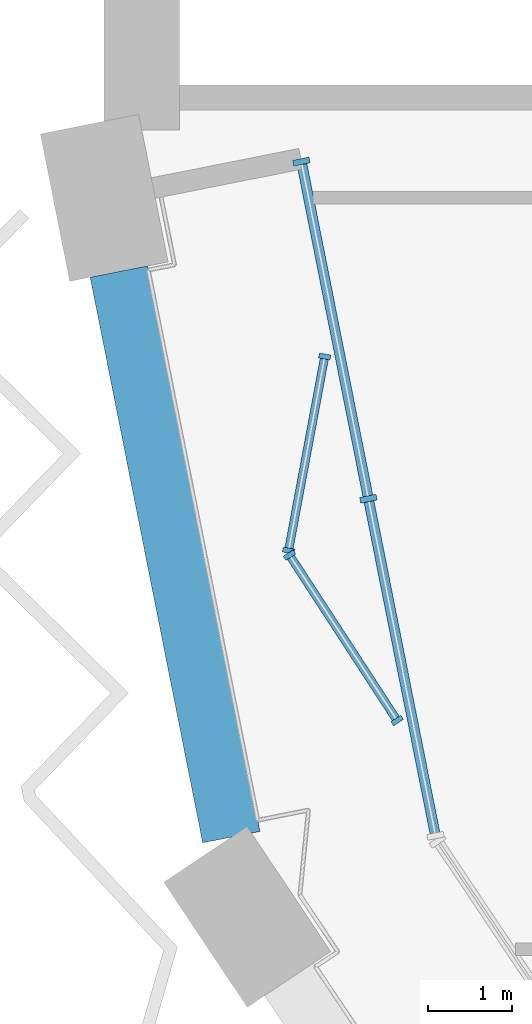
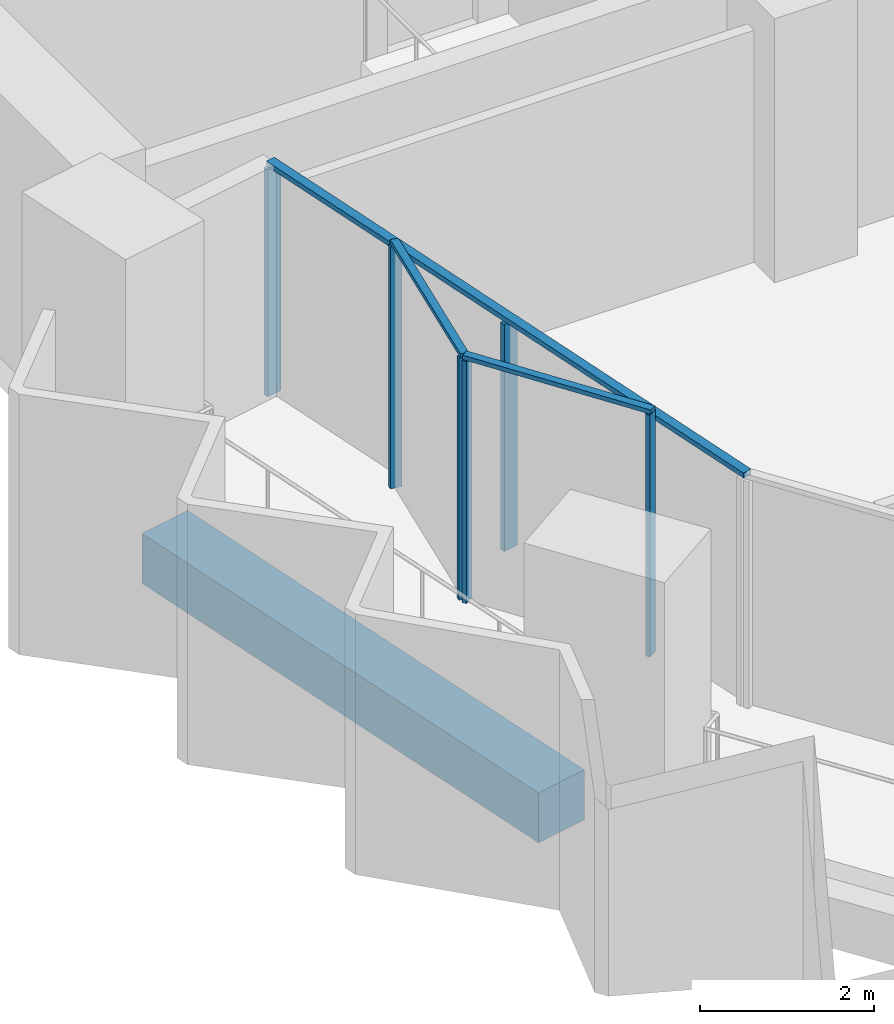
# One storey, part 3 of 18: 9 members, 1 beam, 3 elements without a shape of their own.
"""IFC4 building model written with IfcOpenShell, lengths in metres."""

from ifc_helpers import new_model, si_unit, direction, frame, origin, origin_2d, place, context, subcontext, project, spatial, rectangle, extrude, material, material_profile, profile_set, type_object, element, aggregate, save


model = new_model("IFC4")

# Units and contexts
model_context = context("Model", 3, precision=1e-05, world=origin(), true_north=direction((0.0, 1.0)))
body_context = subcontext(model_context, "Body", "Model", "MODEL_VIEW")
ifc_project = project(units=[si_unit("LENGTHUNIT", "METRE"), si_unit("AREAUNIT", "SQUARE_METRE"), si_unit("VOLUMEUNIT", "CUBIC_METRE"), si_unit("PLANEANGLEUNIT", "RADIAN"), si_unit("MASSUNIT", "GRAM", prefix="KILO")], contexts=[model_context])

# Site, building, storey
site_placement = place(None, origin())
site = spatial("IfcSite", under=ifc_project, at=site_placement, CompositionType="ELEMENT")
building_placement = place(site_placement, origin())
building = spatial("IfcBuilding", under=site, at=building_placement, Name="Hunhe Ridgeline Campus", CompositionType="ELEMENT")
storey_placement = place(building_placement, frame((0.0, 0.0, 223.5)))
storey = spatial("IfcBuildingStorey", under=building, at=storey_placement, Name="L57", CompositionType="ELEMENT", Elevation=223.5)

# Curtain wall, members
ifc_material_1 = material(Name="Aluminium 6063", Category="aluminium")
curtain_wall_type_1 = type_object("IfcCurtainWallType", Name="Curtain wall CW-2", PredefinedType="NOTDEFINED", material=ifc_material_1)
curtain_wall_1_placement = place(storey_placement, origin())
curtain_wall_1 = element("IfcCurtainWall", 1, at=curtain_wall_1_placement, inside=storey, type_object=curtain_wall_type_1, Name="Curtain wall B01a", PredefinedType="NOTDEFINED")
ifc_material_profile_1 = material_profile(ifc_material_1, rectangle(XDim=0.139892578125, YDim=0.06005859375, at=origin_2d()))
ifc_profile_set_1 = profile_set([ifc_material_profile_1], Name="Aluminium 6063")
member_type_1 = type_object("IfcMemberType", Name="CW-2 aluminium mullion", PredefinedType="MULLION", material=ifc_profile_set_1)
member_1_placement = place(storey_placement, frame((2.64111328125, 34.100341796875, 0.0), z_axis=(0.0, 0.0, 1.0), x_axis=(0.983091954213, -0.183112559813, 0.0)))
member_1 = element("IfcMember", 2, at=member_1_placement, type_object=member_type_1, Name="CW-2 mullion 1", PredefinedType="MULLION", context=body_context, shape_type="SweptSolid", body=[
    extrude(rectangle(XDim=0.139892578125, YDim=0.06005859375, at=origin_2d()), origin(), (0.0, 0.0, 1.0), 3.389892578125),
])
member_2_placement = place(storey_placement, frame((2.20849609375, 31.77685546875, 0.0), z_axis=(0.0, 0.0, 1.0), x_axis=(0.983091954213, -0.183112559813, 0.0)))
member_2 = element("IfcMember", 3, at=member_2_placement, type_object=member_type_1, Name="CW-2 mullion 2", PredefinedType="MULLION", context=body_context, shape_type="SweptSolid", body=[
    extrude(rectangle(XDim=0.139892578125, YDim=0.06005859375, at=origin_2d()), origin(), (0.0, 0.0, 1.0), 3.389892578125),
])

curtain_wall_2_placement = place(storey_placement, origin())
curtain_wall_2 = element("IfcCurtainWall", 4, at=curtain_wall_2_placement, inside=storey, type_object=curtain_wall_type_1, Name="Curtain wall B01b", PredefinedType="NOTDEFINED")
member_3_placement = place(storey_placement, frame((2.21923828125, 31.722412109375, 0.0), z_axis=(0.0, 0.0, 1.0), x_axis=(0.838178845176, 0.545395474403, 0.0)))
member_3 = element("IfcMember", 5, at=member_3_placement, type_object=member_type_1, Name="CW-2 mullion 1", PredefinedType="MULLION", context=body_context, shape_type="SweptSolid", body=[
    extrude(rectangle(XDim=0.139892578125, YDim=0.06005859375, at=origin_2d()), origin(), (0.0, 0.0, 1.0), 3.389892578125),
])
member_4_placement = place(storey_placement, frame((3.50830078125, 29.741455078125, 0.0), z_axis=(0.0, 0.0, 1.0), x_axis=(0.838178845176, 0.545395474403, 0.0)))
member_4 = element("IfcMember", 6, at=member_4_placement, type_object=member_type_1, Name="CW-2 mullion 2", PredefinedType="MULLION", context=body_context, shape_type="SweptSolid", body=[
    extrude(rectangle(XDim=0.139892578125, YDim=0.06005859375, at=origin_2d()), origin(), (0.0, 0.0, 1.0), 3.389892578125),
])

# Member
ifc_material_profile_2 = material_profile(ifc_material_1, rectangle(XDim=0.10009765625, YDim=0.06005859375, at=origin_2d()))
ifc_profile_set_2 = profile_set([ifc_material_profile_2], Name="Aluminium 6063")
member_type_2 = type_object("IfcMemberType", Name="CW-2 aluminium transom", PredefinedType="USERDEFINED", material=ifc_profile_set_2)
member_5_placement = place(storey_placement, frame((2.646728515625, 34.1298828125, 3.419921875), z_axis=(-0.183157011524, -0.983083673514, 0.0), x_axis=(0.983083673514, -0.183157011524, 0.0)))
member_5 = element("IfcMember", 7, at=member_5_placement, type_object=member_type_2, Name="CW-2 transom 1", ObjectType="TRANSOM", PredefinedType="USERDEFINED", context=body_context, shape_type="SweptSolid", body=[
    extrude(rectangle(XDim=0.10009765625, YDim=0.06005859375, at=origin_2d()), origin(), (0.0, 0.0, 1.0), 2.42333984375),
])

aggregate(curtain_wall_1, [member_5, member_1, member_2])

member_6_placement = place(storey_placement, frame((2.202880859375, 31.74755859375, 3.419921875), z_axis=(0.54541319982, -0.838167311139, 0.0), x_axis=(0.838167311139, 0.54541319982, 0.0)))
member_6 = element("IfcMember", 8, at=member_6_placement, type_object=member_type_2, Name="CW-2 transom 1", ObjectType="TRANSOM", PredefinedType="USERDEFINED", context=body_context, shape_type="SweptSolid", body=[
    extrude(rectangle(XDim=0.10009765625, YDim=0.06005859375, at=origin_2d()), origin(), (0.0, 0.0, 1.0), 2.42333984375),
])

aggregate(curtain_wall_2, [member_6, member_3, member_4])

# Curtain wall, members
curtain_wall_type_2 = type_object("IfcCurtainWallType", Name="Curtain wall CW-5", PredefinedType="NOTDEFINED", material=ifc_material_1)
curtain_wall_3_placement = place(storey_placement, origin())
curtain_wall_3 = element("IfcCurtainWall", 9, at=curtain_wall_3_placement, inside=storey, type_object=curtain_wall_type_2, Name="Curtain wall 01", PredefinedType="NOTDEFINED")
ifc_material_profile_3 = material_profile(ifc_material_1, rectangle(XDim=0.199951171875, YDim=0.070068359375, at=origin_2d()))
ifc_profile_set_3 = profile_set([ifc_material_profile_3], Name="Aluminium 6063")
member_type_3 = type_object("IfcMemberType", Name="CW-5 aluminium mullion", PredefinedType="MULLION", material=ifc_profile_set_3)
member_7_placement = place(storey_placement, frame((2.361572265625, 36.434326171875, 0.0), z_axis=(0.0, 0.0, 1.0), x_axis=(0.980784280831, 0.195095347137, 0.0)))
member_7 = element("IfcMember", 10, at=member_7_placement, type_object=member_type_3, Name="CW-5 mullion 1", PredefinedType="MULLION", context=body_context, shape_type="SweptSolid", body=[
    extrude(rectangle(XDim=0.199951171875, YDim=0.070068359375, at=origin_2d()), origin(), (0.0, 0.0, 1.0), 3.179931640625),
])
member_8_placement = place(storey_placement, frame((3.16455078125, 32.3974609375, 0.0), z_axis=(0.0, 0.0, 1.0), x_axis=(0.980784280831, 0.195095347137, 0.0)))
member_8 = element("IfcMember", 11, at=member_8_placement, type_object=member_type_3, Name="CW-5 mullion 2", PredefinedType="MULLION", context=body_context, shape_type="SweptSolid", body=[
    extrude(rectangle(XDim=0.199951171875, YDim=0.070068359375, at=origin_2d()), origin(), (0.0, 0.0, 1.0), 3.179931640625),
])
ifc_material_profile_4 = material_profile(ifc_material_1, rectangle(XDim=0.1201171875, YDim=0.070068359375, at=origin_2d()))
ifc_profile_set_4 = profile_set([ifc_material_profile_4], Name="Aluminium 6063")
member_type_4 = type_object("IfcMemberType", Name="CW-5 aluminium transom", PredefinedType="USERDEFINED", material=ifc_profile_set_4)
member_9_placement = place(storey_placement, frame((2.354736328125, 36.46875, 3.215087890625), z_axis=(0.195092405068, -0.980784866056, 0.0), x_axis=(0.980784866056, 0.195092405068, 0.0)))
member_9 = element("IfcMember", 12, at=member_9_placement, type_object=member_type_4, Name="CW-5 transom 1", ObjectType="TRANSOM", PredefinedType="USERDEFINED", context=body_context, shape_type="SweptSolid", body=[
    extrude(rectangle(XDim=0.1201171875, YDim=0.070068359375, at=origin_2d()), origin(), (0.0, 0.0, 1.0), 8.3017578125),
])
aggregate(curtain_wall_3, [member_9, member_7, member_8])

# Beam
ifc_material_2 = material(Name="Concrete C50", Category="concrete")
ifc_material_profile_5 = material_profile(ifc_material_2, rectangle(XDim=0.699951171875, YDim=0.699951171875, at=origin_2d()))
ifc_profile_set_5 = profile_set([ifc_material_profile_5], Name="Concrete C50")
beam_type = type_object("IfcBeamType", Name="RC spandrel beam 700x700 Concrete C50", PredefinedType="SPANDREL", material=ifc_profile_set_5)
beam_placement = place(storey_placement, frame((0.175537109375, 35.1171875, -0.60009765625), z_axis=(0.195102900975, -0.980782778209, 0.0), x_axis=(0.980782778209, 0.195102900975, 0.0)))
element("IfcBeam", 13, at=beam_placement, inside=storey, type_object=beam_type, Name="Spandrel beam B3-1 L57", PredefinedType="SPANDREL", context=body_context, shape_type="SweptSolid", body=[
    extrude(rectangle(XDim=0.699951171875, YDim=0.699951171875, at=origin_2d()), origin(), (0.0, 0.0, 1.0), 6.905029296875),
])

save(model, "model.ifc")
